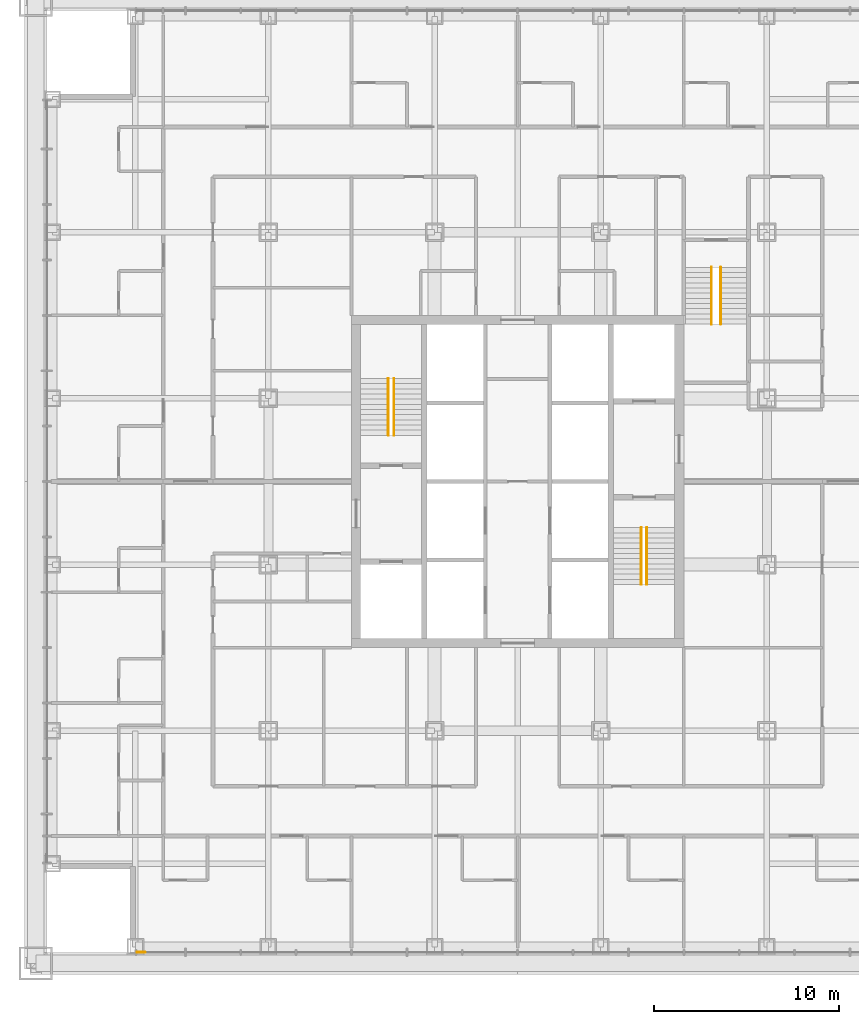
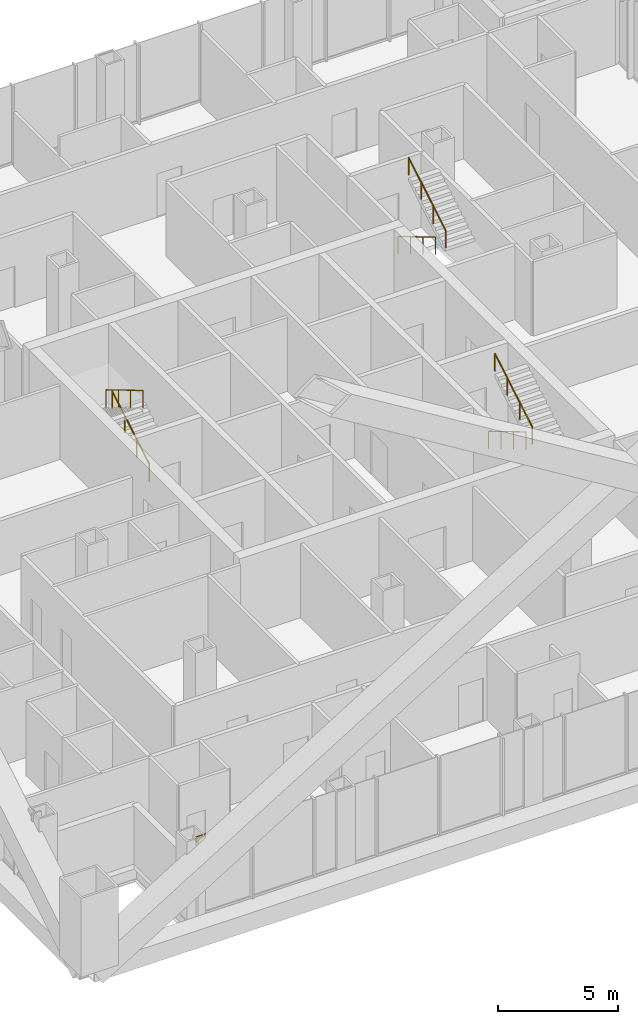
# One storey, part 17 of 21: 6 railings, 1 covering.
"""IFC4 building model written with IfcOpenShell, lengths in metres."""

from ifc_helpers import new_model, si_unit, direction, frame, origin, origin_2d, place, context, subcontext, project, spatial, polyline, circle, outline, extrude, material, layer, layer_set, type_object, element, save


model = new_model("IFC4")

# Units and contexts
model_context = context("Model", 3, precision=1e-05, world=origin(), true_north=direction((0.0, 1.0)))
body_context = subcontext(model_context, "Body", "Model", "MODEL_VIEW")
ifc_project = project(units=[si_unit("LENGTHUNIT", "METRE"), si_unit("AREAUNIT", "SQUARE_METRE"), si_unit("VOLUMEUNIT", "CUBIC_METRE"), si_unit("PLANEANGLEUNIT", "RADIAN"), si_unit("MASSUNIT", "GRAM", prefix="KILO")], contexts=[model_context])

# Site, building, storey
site_placement = place(None, origin())
site = spatial("IfcSite", under=ifc_project, at=site_placement, CompositionType="ELEMENT")
building_placement = place(site_placement, origin())
building = spatial("IfcBuilding", under=site, at=building_placement, Name="Malebo Sky Hospital", CompositionType="ELEMENT")
storey_placement = place(building_placement, frame((0.0, 0.0, 63.0)))
storey = spatial("IfcBuildingStorey", under=building, at=storey_placement, Name="L14", CompositionType="ELEMENT", Elevation=63.0)

# Covering
ifc_material_1 = material(Name="Anodised aluminium, natural silver insulated infill panel", Category="aluminium")
ifc_layer = layer(ifc_material_1, 0.0400390625)
ifc_layer_set = layer_set([ifc_layer], Name="BRACE INFILL PANEL 40")
covering_type = type_object("IfcCoveringType", Name="BRACE INFILL PANEL 40", PredefinedType="CLADDING", material=ifc_layer_set)
covering_placement = place(storey_placement, frame((39.61962890625, 36.5, 3.690185546875), z_axis=(0.0, 0.0, 1.0), x_axis=(-1.0, 0.0, 0.0)))
element("IfcCovering", 1, at=covering_placement, inside=storey, type_object=covering_type, Name="Brace infill panel 15.1", PredefinedType="CLADDING", context=body_context, shape_type="SweptSolid", body=[
    extrude(outline(polyline([(0.244384765625, 0.0), (0.244384765625, 0.2998046875), (-0.24462890625, 0.2998046875), (0.244384765625, 0.0)])), frame((0.0, 0.02001953125, 0.0), z_axis=(0.0, -1.0, 0.0), x_axis=(1.0, 0.0, 0.0)), (0.0, 0.0, 1.0), 0.0400390625),
])

# Railings
ifc_material_2 = material(Name="Stainless steel tube", Category="steel")
railing_type = type_object("IfcRailingType", Name="STAIR HANDRAIL 900", PredefinedType="HANDRAIL", material=ifc_material_2)
railing_1_placement = place(storey_placement, frame((53.300048828125, 64.5, 0.166748046875)))
element("IfcRailing", 2, at=railing_1_placement, inside=storey, type_object=railing_type, Name="Stair handrail S1 flight 1", PredefinedType="HANDRAIL", context=body_context, shape_type="SweptSolid", body=[
    extrude(circle(Radius=0.02392578125, at=origin_2d()), frame((0.0, 0.0, 0.8759765625), z_axis=(0.0, 0.859308565015, 0.511457515432), x_axis=(-1.0, 0.0, 0.0)), (0.0, 0.0, 1.0), 3.58447265625),
    extrude(circle(Radius=0.02099609375, at=origin_2d()), origin(), (0.0, 0.0, 1.0), 0.851806640625),
    extrude(circle(Radius=0.02099609375, at=origin_2d()), frame((0.0, 1.026611328125, 0.611083984375)), (0.0, 0.0, 1.0), 0.851806640625),
    extrude(circle(Radius=0.02099609375, at=origin_2d()), frame((0.0, 2.053466796875, 1.22216796875)), (0.0, 0.0, 1.0), 0.851806640625),
    extrude(circle(Radius=0.02099609375, at=origin_2d()), frame((0.0, 3.080078125, 1.833251953125)), (0.0, 0.0, 1.0), 0.851806640625),
])
for number, where, name in (
    (3, (53.0, 67.580078125, 2.166748046875), "Stair handrail S1 flight 2"),
    (4, (66.699951171875, 59.5, 0.166748046875), "Stair handrail S2 flight 1"),
):
    element("IfcRailing", number, at=place(storey_placement, frame(where)), inside=storey, type_object=railing_type, Name=name, PredefinedType="HANDRAIL", context=body_context, shape_type="SweptSolid", body=[
        extrude(circle(Radius=0.02392578125, at=origin_2d()), frame((0.0, 0.0, 0.8759765625), z_axis=(0.0, -0.859308565015, 0.511457515432), x_axis=(1.0, 0.0, 0.0)), (0.0, 0.0, 1.0), 3.58447265625),
        extrude(circle(Radius=0.02099609375, at=origin_2d()), origin(), (0.0, 0.0, 1.0), 0.851806640625),
        extrude(circle(Radius=0.02099609375, at=origin_2d()), frame((0.0, -1.026611328125, 0.611083984375)), (0.0, 0.0, 1.0), 0.851806640625),
        extrude(circle(Radius=0.02099609375, at=origin_2d()), frame((0.0, -2.053466796875, 1.22216796875)), (0.0, 0.0, 1.0), 0.851806640625),
        extrude(circle(Radius=0.02099609375, at=origin_2d()), frame((0.0, -3.080078125, 1.833251953125)), (0.0, 0.0, 1.0), 0.851806640625),
    ])
railing_2_placement = place(storey_placement, frame((67.0, 56.419921875, 2.166748046875)))
element("IfcRailing", 5, at=railing_2_placement, inside=storey, type_object=railing_type, Name="Stair handrail S2 flight 2", PredefinedType="HANDRAIL", context=body_context, shape_type="SweptSolid", body=[
    extrude(circle(Radius=0.02392578125, at=origin_2d()), frame((0.0, 0.0, 0.8759765625), z_axis=(0.0, 0.859308565015, 0.511457515432), x_axis=(-1.0, 0.0, 0.0)), (0.0, 0.0, 1.0), 3.58447265625),
    extrude(circle(Radius=0.02099609375, at=origin_2d()), origin(), (0.0, 0.0, 1.0), 0.851806640625),
    extrude(circle(Radius=0.02099609375, at=origin_2d()), frame((0.0, 1.026611328125, 0.611083984375)), (0.0, 0.0, 1.0), 0.851806640625),
    extrude(circle(Radius=0.02099609375, at=origin_2d()), frame((0.0, 2.053466796875, 1.22216796875)), (0.0, 0.0, 1.0), 0.851806640625),
    extrude(circle(Radius=0.02099609375, at=origin_2d()), frame((0.0, 3.080078125, 1.833251953125)), (0.0, 0.0, 1.0), 0.851806640625),
])
railing_3_placement = place(storey_placement, frame((70.5, 73.60009765625, 0.166748046875)))
element("IfcRailing", 6, at=railing_3_placement, inside=storey, type_object=railing_type, Name="Stair handrail S3 flight 1", PredefinedType="HANDRAIL", context=body_context, shape_type="SweptSolid", body=[
    extrude(circle(Radius=0.02392578125, at=origin_2d()), frame((0.0, 0.0, 0.8759765625), z_axis=(0.0, -0.859308565015, 0.511457515432), x_axis=(1.0, 0.0, 0.0)), (0.0, 0.0, 1.0), 3.58447265625),
    extrude(circle(Radius=0.02099609375, at=origin_2d()), origin(), (0.0, 0.0, 1.0), 0.851806640625),
    extrude(circle(Radius=0.02099609375, at=origin_2d()), frame((0.0, -1.026611328125, 0.611083984375)), (0.0, 0.0, 1.0), 0.851806640625),
    extrude(circle(Radius=0.02099609375, at=origin_2d()), frame((0.0, -2.053466796875, 1.22216796875)), (0.0, 0.0, 1.0), 0.851806640625),
    extrude(circle(Radius=0.02099609375, at=origin_2d()), frame((0.0, -3.080078125, 1.833251953125)), (0.0, 0.0, 1.0), 0.851806640625),
])
railing_4_placement = place(storey_placement, frame((71.0, 70.52001953125, 2.166748046875)))
element("IfcRailing", 7, at=railing_4_placement, inside=storey, type_object=railing_type, Name="Stair handrail S3 flight 2", PredefinedType="HANDRAIL", context=body_context, shape_type="SweptSolid", body=[
    extrude(circle(Radius=0.02392578125, at=origin_2d()), frame((0.0, 0.0, 0.8759765625), z_axis=(0.0, 0.859308565015, 0.511457515432), x_axis=(-1.0, 0.0, 0.0)), (0.0, 0.0, 1.0), 3.58447265625),
    extrude(circle(Radius=0.02099609375, at=origin_2d()), origin(), (0.0, 0.0, 1.0), 0.851806640625),
    extrude(circle(Radius=0.02099609375, at=origin_2d()), frame((0.0, 1.026611328125, 0.611083984375)), (0.0, 0.0, 1.0), 0.851806640625),
    extrude(circle(Radius=0.02099609375, at=origin_2d()), frame((0.0, 2.053466796875, 1.22216796875)), (0.0, 0.0, 1.0), 0.851806640625),
    extrude(circle(Radius=0.02099609375, at=origin_2d()), frame((0.0, 3.080078125, 1.833251953125)), (0.0, 0.0, 1.0), 0.851806640625),
])

save(model, "model.ifc")
